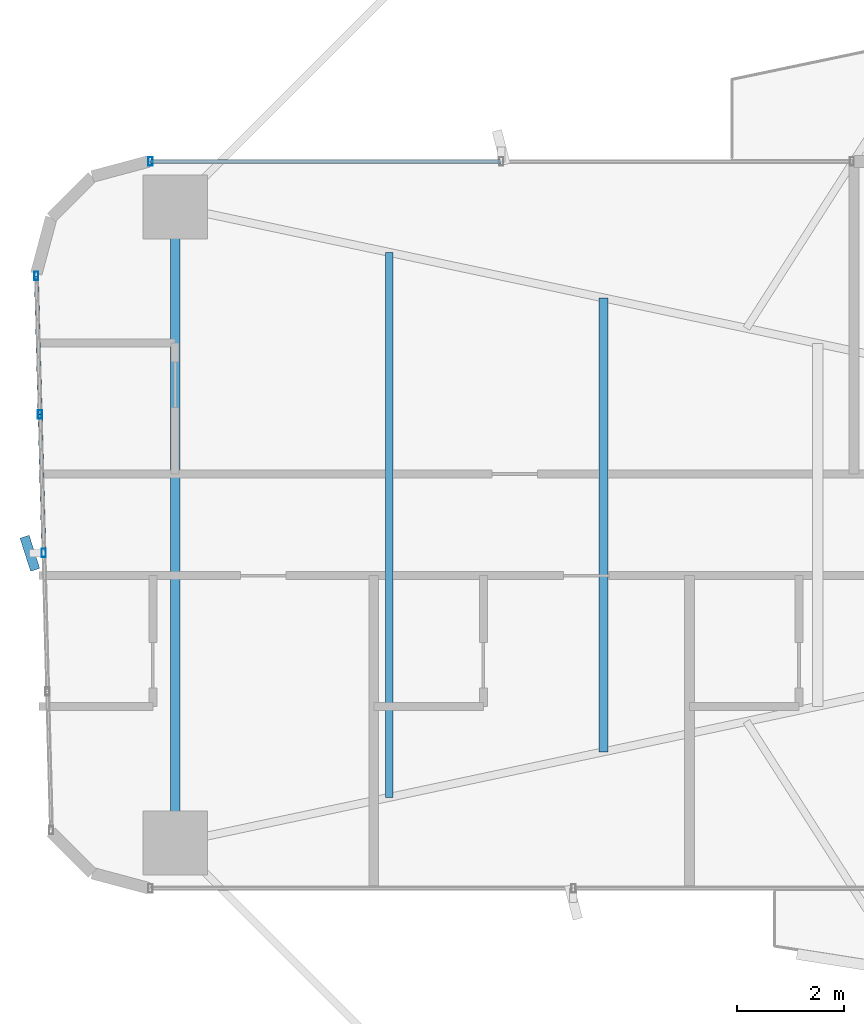
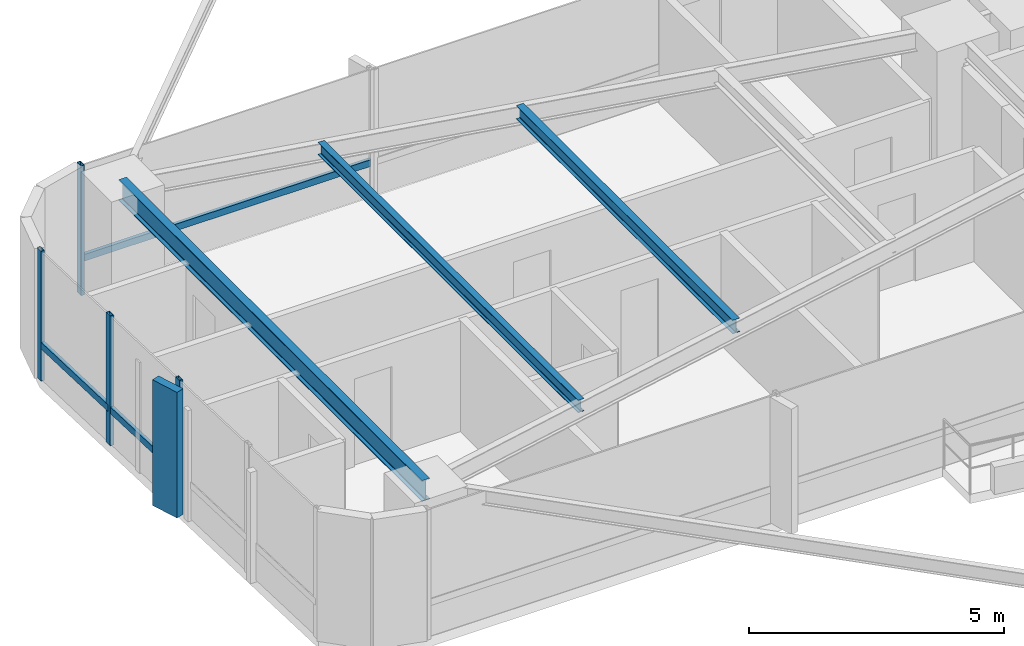
# One storey, part 8 of 25: 8 members, 3 beams, 2 elements without a shape of their own.
"""IFC4 building model written with IfcOpenShell, lengths in metres."""

from ifc_helpers import new_model, si_unit, direction, frame, origin, origin_2d, place, context, subcontext, project, spatial, rectangle, hollow_rectangle, i_section, extrude, source, transform, mapped, material, material_profile, profile_set, type_object, element, aggregate, save


model = new_model("IFC4")

# Units and contexts
model_context = context("Model", 3, precision=1e-05, world=origin(), true_north=direction((0.0, 1.0)))
body_context = subcontext(model_context, "Body", "Model", "MODEL_VIEW")
ifc_project = project(units=[si_unit("LENGTHUNIT", "METRE"), si_unit("AREAUNIT", "SQUARE_METRE"), si_unit("VOLUMEUNIT", "CUBIC_METRE"), si_unit("PLANEANGLEUNIT", "RADIAN"), si_unit("MASSUNIT", "GRAM", prefix="KILO")], contexts=[model_context])

# Site, building, storey
site_placement = place(None, origin())
site = spatial("IfcSite", under=ifc_project, at=site_placement, CompositionType="ELEMENT")
building_placement = place(site_placement, origin())
building = spatial("IfcBuilding", under=site, at=building_placement, Name="Sahyath Konkavel Grand Hotel", CompositionType="ELEMENT")
storey_placement = place(building_placement, frame((0.0, 0.0, 57.75)))
storey = spatial("IfcBuildingStorey", under=building, at=storey_placement, Name="L15", CompositionType="ELEMENT", Elevation=57.75)

# Beams
ifc_material_1 = material(Name="Steel E350", Category="steel")
ifc_material_profile_1 = material_profile(ifc_material_1, i_section(OverallWidth=0.179931640625, OverallDepth=0.5, WebThickness=0.01025390625, FlangeThickness=0.01708984375, FilletRadius=0.01708984375, at=origin_2d()), Name="ISMB 500")
ifc_profile_set_1 = profile_set([ifc_material_profile_1], Name="Steel E350")
beam_type_1 = type_object("IfcBeamType", Name="BM-ISMB500", PredefinedType="BEAM", material=ifc_profile_set_1)
shared_shape_1 = source(origin(), body_context, "Body", "SweptSolid", [
    extrude(i_section(OverallWidth=0.179931640625, OverallDepth=0.5, WebThickness=0.01025390625, FlangeThickness=0.01708984375, FilletRadius=0.01708984375, at=origin_2d()), origin(), (0.0, 0.0, 1.0), 11.89990234375),
])
beam_1_placement = place(storey_placement, frame((-22.199951171875, 5.949951171875, 2.860107421875), z_axis=(0.0, -1.0, 0.0), x_axis=(1.0, 0.0, 0.0)))
element("IfcBeam", 1, at=beam_1_placement, inside=storey, type_object=beam_type_1, Name="L15 Wing Tip Edge Beam W", PredefinedType="BEAM", context=body_context, shape_type="MappedRepresentation", body=[
    mapped(shared_shape_1, transform((0.0, 0.0, 0.0), scale=1.0)),
])
ifc_material_profile_2 = material_profile(ifc_material_1, i_section(OverallWidth=0.1650390625, OverallDepth=0.324951171875, WebThickness=0.007080078125, FlangeThickness=0.009765625, FilletRadius=0.014892578125, at=origin_2d()), Name="ISLB 325")
ifc_profile_set_2 = profile_set([ifc_material_profile_2], Name="Steel E350")
beam_type_2 = type_object("IfcBeamType", Name="BM-ISLB325", PredefinedType="BEAM", material=ifc_profile_set_2)
shared_shape_2 = source(origin(), body_context, "Body", "SweptSolid", [
    extrude(i_section(OverallWidth=0.1650390625, OverallDepth=0.324951171875, WebThickness=0.007080078125, FlangeThickness=0.009765625, FilletRadius=0.014892578125, at=origin_2d()), origin(), (0.0, 0.0, 1.0), 8.4921875),
])
beam_2_placement = place(storey_placement, frame((-14.18408203125, 4.24609375, 2.947509765625), z_axis=(0.0, -1.0, 0.0), x_axis=(1.0, 0.0, 0.0)))
element("IfcBeam", 2, at=beam_2_placement, inside=storey, type_object=beam_type_2, Name="L15 Secondary Floor Beam W-2", PredefinedType="BEAM", context=body_context, shape_type="MappedRepresentation", body=[
    mapped(shared_shape_2, transform((0.0, 0.0, 0.0), scale=1.0)),
])
ifc_material_profile_3 = material_profile(ifc_material_1, i_section(OverallWidth=0.139892578125, OverallDepth=0.300048828125, WebThickness=0.0078125, FlangeThickness=0.01318359375, FilletRadius=0.013916015625, at=origin_2d()), Name="ISMB 300")
ifc_profile_set_3 = profile_set([ifc_material_profile_3], Name="Steel E350")
beam_type_3 = type_object("IfcBeamType", Name="BM-ISMB300", PredefinedType="BEAM", material=ifc_profile_set_3)
shared_shape_3 = source(origin(), body_context, "Body", "SweptSolid", [
    extrude(i_section(OverallWidth=0.139892578125, OverallDepth=0.300048828125, WebThickness=0.0078125, FlangeThickness=0.01318359375, FilletRadius=0.013916015625, at=origin_2d()), origin(), (0.0, 0.0, 1.0), 10.19580078125),
])
beam_3_placement = place(storey_placement, frame((-18.19189453125, 5.097900390625, 2.9599609375), z_axis=(0.0, -1.0, 0.0), x_axis=(1.0, 0.0, 0.0)))
element("IfcBeam", 3, at=beam_3_placement, inside=storey, type_object=beam_type_3, Name="L15 Secondary Floor Beam W-3", PredefinedType="BEAM", context=body_context, shape_type="MappedRepresentation", body=[
    mapped(shared_shape_3, transform((0.0, 0.0, 0.0), scale=1.0)),
])

# Curtain wall, members
ifc_material_2 = material(Name="Anodised Bronze Aluminium & Low-E Glazing", Category="aluminium")
curtain_wall_type = type_object("IfcCurtainWallType", Name="CW-ZONE1", PredefinedType="NOTDEFINED", material=ifc_material_2)
curtain_wall_1_placement = place(storey_placement, origin())
curtain_wall_1 = element("IfcCurtainWall", 4, at=curtain_wall_1_placement, inside=storey, type_object=curtain_wall_type, Name="L15 Unitised Curtain Wall F20", PredefinedType="NOTDEFINED")
ifc_material_3 = material(Name="Warm Buff Sandstone Cladding on Concrete C50/60", Category="masonry")
ifc_material_profile_4 = material_profile(ifc_material_3, rectangle(XDim=0.179931640625, YDim=0.64990234375, at=origin_2d()), Name="FIN 180x650")
ifc_profile_set_4 = profile_set([ifc_material_profile_4], Name="Warm Buff Sandstone Cladding on Concrete C50/60")
member_type_1 = type_object("IfcMemberType", Name="FIN-SANDSTONE-650", PredefinedType="MULLION", material=ifc_profile_set_4)
shared_shape_4 = source(origin(), body_context, "Body", "SweptSolid", [
    extrude(rectangle(XDim=0.179931640625, YDim=0.64990234375, at=origin_2d()), origin(), (0.0, 0.0, 1.0), 3.010009765625),
])
member_1_placement = place(storey_placement, frame((-24.919189453125, -0.531982421875, 0.050048828125), z_axis=(0.0, 0.0, 1.0), x_axis=(0.952236042525, 0.30536293049, 0.0)))
member_1 = element("IfcMember", 5, at=member_1_placement, type_object=member_type_1, Name="L15 Sandstone Vertical Solar Fin FIN F20-2", PredefinedType="MULLION", context=body_context, shape_type="MappedRepresentation", body=[
    mapped(shared_shape_4, transform((0.0, 0.0, 0.0), scale=1.0)),
])
ifc_material_4 = material(Name="Anodised Bronze Aluminium", Category="aluminium")
ifc_material_profile_5 = material_profile(ifc_material_4, hollow_rectangle(XDim=0.080078125, YDim=0.159912109375, WallThickness=0.006103515625, at=origin_2d()), Name="RHS 160x80x6")
ifc_profile_set_5 = profile_set([ifc_material_profile_5], Name="Anodised Bronze Aluminium")
member_type_2 = type_object("IfcMemberType", Name="CW-TRN-160", PredefinedType="USERDEFINED", material=ifc_profile_set_5)
shared_shape_5 = source(origin(), body_context, "Body", "SweptSolid", [
    extrude(hollow_rectangle(XDim=0.080078125, YDim=0.159912109375, WallThickness=0.006103515625, at=origin_2d()), origin(), (0.0, 0.0, 1.0), 2.593505859375),
])
member_2_placement = place(storey_placement, frame((-24.798828125, 4.659912109375, 0.85009765625), z_axis=(0.026923093252, -0.999637507825, 0.0), x_axis=(0.999637507825, 0.026923093252, 0.0)))
member_2 = element("IfcMember", 6, at=member_2_placement, type_object=member_type_2, Name="L15 Curtain Wall Transom F20-0-spandrel", ObjectType="TRANSOM", PredefinedType="USERDEFINED", context=body_context, shape_type="MappedRepresentation", body=[
    mapped(shared_shape_5, transform((0.0, 0.0, 0.0), scale=1.0)),
])
shared_shape_6 = source(origin(), body_context, "Body", "SweptSolid", [
    extrude(hollow_rectangle(XDim=0.080078125, YDim=0.159912109375, WallThickness=0.006103515625, at=origin_2d()), origin(), (0.0, 0.0, 1.0), 2.59326171875),
])
member_3_placement = place(storey_placement, frame((-24.72900390625, 2.0673828125, 0.85009765625), z_axis=(0.026925627022, -0.99963743958, 0.0), x_axis=(0.99963743958, 0.026925627022, 0.0)))
member_3 = element("IfcMember", 7, at=member_3_placement, type_object=member_type_2, Name="L15 Curtain Wall Transom F20-1-spandrel", ObjectType="TRANSOM", PredefinedType="USERDEFINED", context=body_context, shape_type="MappedRepresentation", body=[
    mapped(shared_shape_6, transform((0.0, 0.0, 0.0), scale=1.0)),
])

# Curtain wall, member
curtain_wall_2_placement = place(storey_placement, origin())
curtain_wall_2 = element("IfcCurtainWall", 8, at=curtain_wall_2_placement, inside=storey, type_object=curtain_wall_type, Name="L15 Unitised Curtain Wall F16", PredefinedType="NOTDEFINED")
ifc_material_profile_6 = material_profile(ifc_material_4, hollow_rectangle(XDim=0.080078125, YDim=0.159912109375, WallThickness=0.006103515625, at=origin_2d()), Name="RHS 160x80x6")
ifc_profile_set_6 = profile_set([ifc_material_profile_6], Name="Anodised Bronze Aluminium")
member_type_3 = type_object("IfcMemberType", Name="CW-MUL-160", PredefinedType="MULLION", material=ifc_profile_set_6)
shared_shape_7 = source(origin(), body_context, "Body", "SweptSolid", [
    extrude(hollow_rectangle(XDim=0.080078125, YDim=0.159912109375, WallThickness=0.006103515625, at=origin_2d()), origin(), (0.0, 0.0, 1.0), 3.110107421875),
])
member_4_placement = place(storey_placement, frame((-22.659912109375, 6.800048828125, 0.0), z_axis=(0.0, 0.0, 1.0), x_axis=(1.0, 0.0, 0.0)))
member_4 = element("IfcMember", 9, at=member_4_placement, type_object=member_type_3, Name="L15 Curtain Wall Mullion F16-2", PredefinedType="MULLION", context=body_context, shape_type="MappedRepresentation", body=[
    mapped(shared_shape_7, transform((0.0, 0.0, 0.0), scale=1.0)),
])

# Member
member_5_placement = place(storey_placement, frame((-24.798828125, 4.659912109375, 0.0), z_axis=(0.0, 0.0, 1.0), x_axis=(1.0, 0.0, 0.0)))
member_5 = element("IfcMember", 10, at=member_5_placement, type_object=member_type_3, Name="L15 Curtain Wall Mullion F20-0", PredefinedType="MULLION", context=body_context, shape_type="MappedRepresentation", body=[
    mapped(shared_shape_7, transform((0.0, 0.0, 0.0), scale=1.0)),
])

member_6_placement = place(storey_placement, frame((-24.72900390625, 2.0673828125, 0.0), z_axis=(0.0, 0.0, 1.0), x_axis=(1.0, 0.0, 0.0)))
member_6 = element("IfcMember", 11, at=member_6_placement, type_object=member_type_3, Name="L15 Curtain Wall Mullion F20-1", PredefinedType="MULLION", context=body_context, shape_type="MappedRepresentation", body=[
    mapped(shared_shape_7, transform((0.0, 0.0, 0.0), scale=1.0)),
])

member_7_placement = place(storey_placement, frame((-24.6591796875, -0.52490234375, 0.0), z_axis=(0.0, 0.0, 1.0), x_axis=(1.0, 0.0, 0.0)))
member_7 = element("IfcMember", 12, at=member_7_placement, type_object=member_type_3, Name="L15 Curtain Wall Mullion F20-2", PredefinedType="MULLION", context=body_context, shape_type="MappedRepresentation", body=[
    mapped(shared_shape_7, transform((0.0, 0.0, 0.0), scale=1.0)),
])

aggregate(curtain_wall_1, [member_5, member_6, member_7, member_1, member_2, member_3])

shared_shape_8 = source(origin(), body_context, "Body", "SweptSolid", [
    extrude(hollow_rectangle(XDim=0.080078125, YDim=0.159912109375, WallThickness=0.006103515625, at=origin_2d()), origin(), (0.0, 0.0, 1.0), 6.559814453125),
])
member_8_placement = place(storey_placement, frame((-16.10009765625, 6.800048828125, 0.85009765625), z_axis=(-1.0, 0.0, 0.0), x_axis=(0.0, -1.0, 0.0)))
member_8 = element("IfcMember", 13, at=member_8_placement, type_object=member_type_2, Name="L15 Curtain Wall Transom F16-1-spandrel", ObjectType="TRANSOM", PredefinedType="USERDEFINED", context=body_context, shape_type="MappedRepresentation", body=[
    mapped(shared_shape_8, transform((0.0, 0.0, 0.0), scale=1.0)),
])

aggregate(curtain_wall_2, [member_4, member_8])

save(model, "model.ifc")
